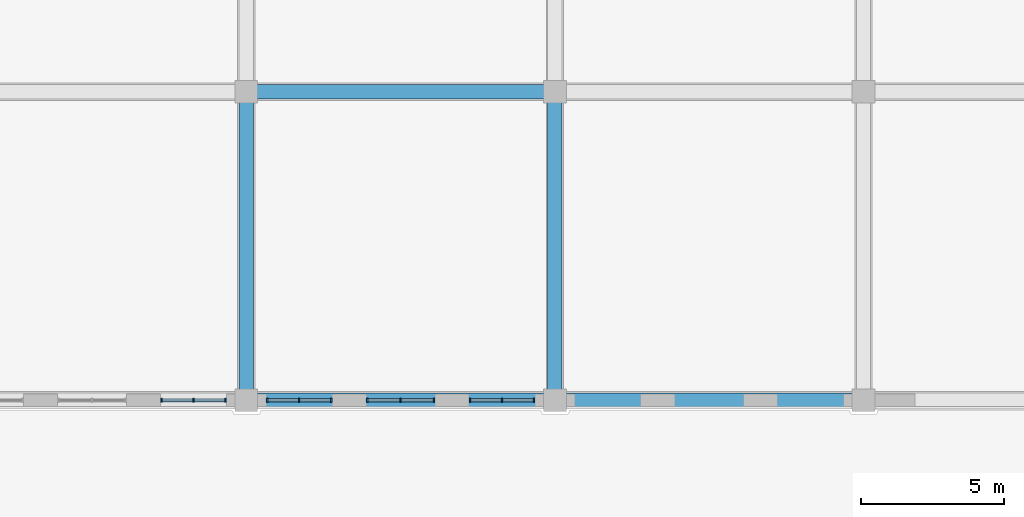
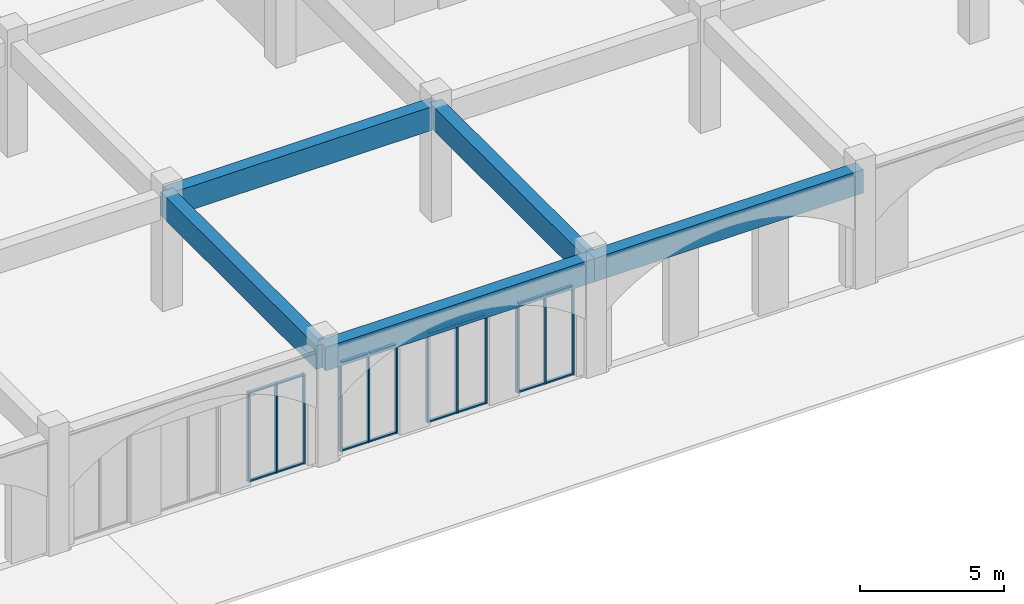
# One storey, part 13 of 101: 28 members, 5 beams, 4 elements without a shape of their own.
"""IFC4 building model written with IfcOpenShell, lengths in metres."""

from ifc_helpers import new_model, si_unit, direction, frame, origin, origin_2d, place, context, subcontext, project, spatial, rectangle, extrude, material, layer, layer_set, material_profile, profile_set, type_object, element, aggregate, save


model = new_model("IFC4")

# Units and contexts
model_context = context("Model", 3, precision=1e-05, world=origin(), true_north=direction((0.0, 1.0)))
body_context = subcontext(model_context, "Body", "Model", "MODEL_VIEW")
ifc_project = project(units=[si_unit("LENGTHUNIT", "METRE"), si_unit("AREAUNIT", "SQUARE_METRE"), si_unit("VOLUMEUNIT", "CUBIC_METRE"), si_unit("PLANEANGLEUNIT", "RADIAN"), si_unit("MASSUNIT", "GRAM", prefix="KILO")], contexts=[model_context])

# Site, building, storey
site_placement = place(None, origin())
site = spatial("IfcSite", under=ifc_project, at=site_placement, CompositionType="ELEMENT")
building_placement = place(site_placement, origin())
building = spatial("IfcBuilding", under=site, at=building_placement, Name="Magnolia Steps Interchange", CompositionType="ELEMENT")
storey_placement = place(building_placement, frame((0.0, 0.0, -5.39990234375)))
storey = spatial("IfcBuildingStorey", under=building, at=storey_placement, Name="B1", CompositionType="ELEMENT", Elevation=-5.39990234375)

# Curtain wall, members
ifc_material_1 = material(Name="Powder-coated aluminium and glass", Category="aluminium")
ifc_layer = layer(ifc_material_1, 0.1201171875)
ifc_layer_set = layer_set([ifc_layer], Name="Shopfront curtain wall")
curtain_wall_type = type_object("IfcCurtainWallType", Name="Shopfront curtain wall", PredefinedType="NOTDEFINED", material=ifc_layer_set)
curtain_wall_1_placement = place(storey_placement, origin())
curtain_wall_1 = element("IfcCurtainWall", 1, at=curtain_wall_1_placement, inside=storey, type_object=curtain_wall_type, Name="Street arcade shopfront 14", PredefinedType="NOTDEFINED")
ifc_material_2 = material(Name="White powder-coated aluminium", Category="aluminium")
ifc_material_profile_1 = material_profile(ifc_material_2, rectangle(XDim=0.06005859375, YDim=0.14990234375, at=origin_2d()), Name="Aluminium mullion 60 x 150")
ifc_profile_set_1 = profile_set([ifc_material_profile_1], Name="White powder-coated aluminium")
member_type_1 = type_object("IfcMemberType", Name="Aluminium mullion 60 x 150", PredefinedType="MULLION", material=ifc_profile_set_1)
member_1_placement = place(storey_placement, frame((71.830078125, 10.0, 0.0), z_axis=(0.0, 0.0, 1.0), x_axis=(1.0, 0.0, 0.0)))
member_1 = element("IfcMember", 2, at=member_1_placement, type_object=member_type_1, Name="CW3 mullion 1", PredefinedType="MULLION", context=body_context, shape_type="SweptSolid", body=[
    extrude(rectangle(XDim=0.06005859375, YDim=0.14990234375, at=origin_2d()), origin(), (0.0, 0.0, 1.0), 3.7998046875),
])
member_2_placement = place(storey_placement, frame((72.949951171875, 10.0, 0.0), z_axis=(0.0, 0.0, 1.0), x_axis=(1.0, 0.0, 0.0)))
member_2 = element("IfcMember", 3, at=member_2_placement, type_object=member_type_1, Name="CW3 mullion 2", PredefinedType="MULLION", context=body_context, shape_type="SweptSolid", body=[
    extrude(rectangle(XDim=0.06005859375, YDim=0.14990234375, at=origin_2d()), origin(), (0.0, 0.0, 1.0), 3.7998046875),
])
member_3_placement = place(storey_placement, frame((74.070068359375, 10.0, 0.0), z_axis=(0.0, 0.0, 1.0), x_axis=(1.0, 0.0, 0.0)))
member_3 = element("IfcMember", 4, at=member_3_placement, type_object=member_type_1, Name="CW3 mullion 3", PredefinedType="MULLION", context=body_context, shape_type="SweptSolid", body=[
    extrude(rectangle(XDim=0.06005859375, YDim=0.14990234375, at=origin_2d()), origin(), (0.0, 0.0, 1.0), 3.7998046875),
])

curtain_wall_2_placement = place(storey_placement, origin())
curtain_wall_2 = element("IfcCurtainWall", 5, at=curtain_wall_2_placement, inside=storey, type_object=curtain_wall_type, Name="Street arcade shopfront 16", PredefinedType="NOTDEFINED")
member_4_placement = place(storey_placement, frame((75.530029296875, 10.0, 0.0), z_axis=(0.0, 0.0, 1.0), x_axis=(1.0, 0.0, 0.0)))
member_4 = element("IfcMember", 6, at=member_4_placement, type_object=member_type_1, Name="CW3 mullion 1", PredefinedType="MULLION", context=body_context, shape_type="SweptSolid", body=[
    extrude(rectangle(XDim=0.06005859375, YDim=0.14990234375, at=origin_2d()), origin(), (0.0, 0.0, 1.0), 3.7998046875),
])
member_5_placement = place(storey_placement, frame((76.64990234375, 10.0, 0.0), z_axis=(0.0, 0.0, 1.0), x_axis=(1.0, 0.0, 0.0)))
member_5 = element("IfcMember", 7, at=member_5_placement, type_object=member_type_1, Name="CW3 mullion 2", PredefinedType="MULLION", context=body_context, shape_type="SweptSolid", body=[
    extrude(rectangle(XDim=0.06005859375, YDim=0.14990234375, at=origin_2d()), origin(), (0.0, 0.0, 1.0), 3.7998046875),
])
member_6_placement = place(storey_placement, frame((77.77001953125, 10.0, 0.0), z_axis=(0.0, 0.0, 1.0), x_axis=(1.0, 0.0, 0.0)))
member_6 = element("IfcMember", 8, at=member_6_placement, type_object=member_type_1, Name="CW3 mullion 3", PredefinedType="MULLION", context=body_context, shape_type="SweptSolid", body=[
    extrude(rectangle(XDim=0.06005859375, YDim=0.14990234375, at=origin_2d()), origin(), (0.0, 0.0, 1.0), 3.7998046875),
])

curtain_wall_3_placement = place(storey_placement, origin())
curtain_wall_3 = element("IfcCurtainWall", 9, at=curtain_wall_3_placement, inside=storey, type_object=curtain_wall_type, Name="Street arcade shopfront 18", PredefinedType="NOTDEFINED")
member_7_placement = place(storey_placement, frame((79.030029296875, 10.0, 0.0), z_axis=(0.0, 0.0, 1.0), x_axis=(1.0, 0.0, 0.0)))
member_7 = element("IfcMember", 10, at=member_7_placement, type_object=member_type_1, Name="CW3 mullion 1", PredefinedType="MULLION", context=body_context, shape_type="SweptSolid", body=[
    extrude(rectangle(XDim=0.06005859375, YDim=0.14990234375, at=origin_2d()), origin(), (0.0, 0.0, 1.0), 3.7998046875),
])
member_8_placement = place(storey_placement, frame((80.199951171875, 10.0, 0.0), z_axis=(0.0, 0.0, 1.0), x_axis=(1.0, 0.0, 0.0)))
member_8 = element("IfcMember", 11, at=member_8_placement, type_object=member_type_1, Name="CW3 mullion 2", PredefinedType="MULLION", context=body_context, shape_type="SweptSolid", body=[
    extrude(rectangle(XDim=0.06005859375, YDim=0.14990234375, at=origin_2d()), origin(), (0.0, 0.0, 1.0), 3.7998046875),
])
member_9_placement = place(storey_placement, frame((81.3701171875, 10.0, 0.0), z_axis=(0.0, 0.0, 1.0), x_axis=(1.0, 0.0, 0.0)))
member_9 = element("IfcMember", 12, at=member_9_placement, type_object=member_type_1, Name="CW3 mullion 3", PredefinedType="MULLION", context=body_context, shape_type="SweptSolid", body=[
    extrude(rectangle(XDim=0.06005859375, YDim=0.14990234375, at=origin_2d()), origin(), (0.0, 0.0, 1.0), 3.7998046875),
])

curtain_wall_4_placement = place(storey_placement, origin())
curtain_wall_4 = element("IfcCurtainWall", 13, at=curtain_wall_4_placement, inside=storey, type_object=curtain_wall_type, Name="Street arcade shopfront 20", PredefinedType="NOTDEFINED")
member_10_placement = place(storey_placement, frame((82.6298828125, 10.0, 0.0), z_axis=(0.0, 0.0, 1.0), x_axis=(1.0, 0.0, 0.0)))
member_10 = element("IfcMember", 14, at=member_10_placement, type_object=member_type_1, Name="CW3 mullion 1", PredefinedType="MULLION", context=body_context, shape_type="SweptSolid", body=[
    extrude(rectangle(XDim=0.06005859375, YDim=0.14990234375, at=origin_2d()), origin(), (0.0, 0.0, 1.0), 3.7998046875),
])
member_11_placement = place(storey_placement, frame((83.75, 10.0, 0.0), z_axis=(0.0, 0.0, 1.0), x_axis=(1.0, 0.0, 0.0)))
member_11 = element("IfcMember", 15, at=member_11_placement, type_object=member_type_1, Name="CW3 mullion 2", PredefinedType="MULLION", context=body_context, shape_type="SweptSolid", body=[
    extrude(rectangle(XDim=0.06005859375, YDim=0.14990234375, at=origin_2d()), origin(), (0.0, 0.0, 1.0), 3.7998046875),
])
member_12_placement = place(storey_placement, frame((84.8701171875, 10.0, 0.0), z_axis=(0.0, 0.0, 1.0), x_axis=(1.0, 0.0, 0.0)))
member_12 = element("IfcMember", 16, at=member_12_placement, type_object=member_type_1, Name="CW3 mullion 3", PredefinedType="MULLION", context=body_context, shape_type="SweptSolid", body=[
    extrude(rectangle(XDim=0.06005859375, YDim=0.14990234375, at=origin_2d()), origin(), (0.0, 0.0, 1.0), 3.7998046875),
])

# Member
ifc_material_3 = material(Name="White powder-coated aluminium", Category="aluminium")
ifc_material_profile_2 = material_profile(ifc_material_3, rectangle(XDim=0.06005859375, YDim=0.1201171875, at=origin_2d()), Name="Aluminium transom 60 x 120")
ifc_profile_set_2 = profile_set([ifc_material_profile_2], Name="White powder-coated aluminium")
member_type_2 = type_object("IfcMemberType", Name="Aluminium transom 60 x 120", PredefinedType="USERDEFINED", material=ifc_profile_set_2)
member_13_placement = place(storey_placement, frame((71.860107421875, 10.0, 0.02978515625), z_axis=(1.0, 0.0, 0.0), x_axis=(0.0, 0.0, 1.0)))
member_13 = element("IfcMember", 17, at=member_13_placement, type_object=member_type_2, Name="CW3 transom 1.1", ObjectType="TRANSOM", PredefinedType="USERDEFINED", context=body_context, shape_type="SweptSolid", body=[
    extrude(rectangle(XDim=0.06005859375, YDim=0.1201171875, at=origin_2d()), origin(), (0.0, 0.0, 1.0), 1.059814453125),
])

member_14_placement = place(storey_placement, frame((71.860107421875, 10.0, 3.77001953125), z_axis=(1.0, 0.0, 0.0), x_axis=(0.0, 0.0, 1.0)))
member_14 = element("IfcMember", 18, at=member_14_placement, type_object=member_type_2, Name="CW3 transom 1.2", ObjectType="TRANSOM", PredefinedType="USERDEFINED", context=body_context, shape_type="SweptSolid", body=[
    extrude(rectangle(XDim=0.06005859375, YDim=0.1201171875, at=origin_2d()), origin(), (0.0, 0.0, 1.0), 1.059814453125),
])

member_15_placement = place(storey_placement, frame((72.97998046875, 10.0, 0.02978515625), z_axis=(1.0, 0.0, 0.0), x_axis=(0.0, 0.0, 1.0)))
member_15 = element("IfcMember", 19, at=member_15_placement, type_object=member_type_2, Name="CW3 transom 2.1", ObjectType="TRANSOM", PredefinedType="USERDEFINED", context=body_context, shape_type="SweptSolid", body=[
    extrude(rectangle(XDim=0.06005859375, YDim=0.1201171875, at=origin_2d()), origin(), (0.0, 0.0, 1.0), 1.06005859375),
])

member_16_placement = place(storey_placement, frame((72.97998046875, 10.0, 3.77001953125), z_axis=(1.0, 0.0, 0.0), x_axis=(0.0, 0.0, 1.0)))
member_16 = element("IfcMember", 20, at=member_16_placement, type_object=member_type_2, Name="CW3 transom 2.2", ObjectType="TRANSOM", PredefinedType="USERDEFINED", context=body_context, shape_type="SweptSolid", body=[
    extrude(rectangle(XDim=0.06005859375, YDim=0.1201171875, at=origin_2d()), origin(), (0.0, 0.0, 1.0), 1.06005859375),
])

aggregate(curtain_wall_1, [member_1, member_2, member_3, member_13, member_14, member_15, member_16])

member_17_placement = place(storey_placement, frame((75.56005859375, 10.0, 0.02978515625), z_axis=(1.0, 0.0, 0.0), x_axis=(0.0, 0.0, 1.0)))
member_17 = element("IfcMember", 21, at=member_17_placement, type_object=member_type_2, Name="CW3 transom 1.1", ObjectType="TRANSOM", PredefinedType="USERDEFINED", context=body_context, shape_type="SweptSolid", body=[
    extrude(rectangle(XDim=0.06005859375, YDim=0.1201171875, at=origin_2d()), origin(), (0.0, 0.0, 1.0), 1.06005859375),
])

member_18_placement = place(storey_placement, frame((75.56005859375, 10.0, 3.77001953125), z_axis=(1.0, 0.0, 0.0), x_axis=(0.0, 0.0, 1.0)))
member_18 = element("IfcMember", 22, at=member_18_placement, type_object=member_type_2, Name="CW3 transom 1.2", ObjectType="TRANSOM", PredefinedType="USERDEFINED", context=body_context, shape_type="SweptSolid", body=[
    extrude(rectangle(XDim=0.06005859375, YDim=0.1201171875, at=origin_2d()), origin(), (0.0, 0.0, 1.0), 1.06005859375),
])

member_19_placement = place(storey_placement, frame((76.679931640625, 10.0, 0.02978515625), z_axis=(1.0, 0.0, 0.0), x_axis=(0.0, 0.0, 1.0)))
member_19 = element("IfcMember", 23, at=member_19_placement, type_object=member_type_2, Name="CW3 transom 2.1", ObjectType="TRANSOM", PredefinedType="USERDEFINED", context=body_context, shape_type="SweptSolid", body=[
    extrude(rectangle(XDim=0.06005859375, YDim=0.1201171875, at=origin_2d()), origin(), (0.0, 0.0, 1.0), 1.06005859375),
])

member_20_placement = place(storey_placement, frame((76.679931640625, 10.0, 3.77001953125), z_axis=(1.0, 0.0, 0.0), x_axis=(0.0, 0.0, 1.0)))
member_20 = element("IfcMember", 24, at=member_20_placement, type_object=member_type_2, Name="CW3 transom 2.2", ObjectType="TRANSOM", PredefinedType="USERDEFINED", context=body_context, shape_type="SweptSolid", body=[
    extrude(rectangle(XDim=0.06005859375, YDim=0.1201171875, at=origin_2d()), origin(), (0.0, 0.0, 1.0), 1.06005859375),
])

aggregate(curtain_wall_2, [member_4, member_5, member_6, member_17, member_18, member_19, member_20])

member_21_placement = place(storey_placement, frame((79.06005859375, 10.0, 0.02978515625), z_axis=(1.0, 0.0, 0.0), x_axis=(0.0, 0.0, 1.0)))
member_21 = element("IfcMember", 25, at=member_21_placement, type_object=member_type_2, Name="CW3 transom 1.1", ObjectType="TRANSOM", PredefinedType="USERDEFINED", context=body_context, shape_type="SweptSolid", body=[
    extrude(rectangle(XDim=0.06005859375, YDim=0.1201171875, at=origin_2d()), origin(), (0.0, 0.0, 1.0), 1.10986328125),
])

member_22_placement = place(storey_placement, frame((79.06005859375, 10.0, 3.77001953125), z_axis=(1.0, 0.0, 0.0), x_axis=(0.0, 0.0, 1.0)))
member_22 = element("IfcMember", 26, at=member_22_placement, type_object=member_type_2, Name="CW3 transom 1.2", ObjectType="TRANSOM", PredefinedType="USERDEFINED", context=body_context, shape_type="SweptSolid", body=[
    extrude(rectangle(XDim=0.06005859375, YDim=0.1201171875, at=origin_2d()), origin(), (0.0, 0.0, 1.0), 1.10986328125),
])

member_23_placement = place(storey_placement, frame((80.22998046875, 10.0, 0.02978515625), z_axis=(1.0, 0.0, 0.0), x_axis=(0.0, 0.0, 1.0)))
member_23 = element("IfcMember", 27, at=member_23_placement, type_object=member_type_2, Name="CW3 transom 2.1", ObjectType="TRANSOM", PredefinedType="USERDEFINED", context=body_context, shape_type="SweptSolid", body=[
    extrude(rectangle(XDim=0.06005859375, YDim=0.1201171875, at=origin_2d()), origin(), (0.0, 0.0, 1.0), 1.110107421875),
])

member_24_placement = place(storey_placement, frame((80.22998046875, 10.0, 3.77001953125), z_axis=(1.0, 0.0, 0.0), x_axis=(0.0, 0.0, 1.0)))
member_24 = element("IfcMember", 28, at=member_24_placement, type_object=member_type_2, Name="CW3 transom 2.2", ObjectType="TRANSOM", PredefinedType="USERDEFINED", context=body_context, shape_type="SweptSolid", body=[
    extrude(rectangle(XDim=0.06005859375, YDim=0.1201171875, at=origin_2d()), origin(), (0.0, 0.0, 1.0), 1.110107421875),
])

aggregate(curtain_wall_3, [member_7, member_8, member_9, member_21, member_22, member_23, member_24])

member_25_placement = place(storey_placement, frame((82.659912109375, 10.0, 0.02978515625), z_axis=(1.0, 0.0, 0.0), x_axis=(0.0, 0.0, 1.0)))
member_25 = element("IfcMember", 29, at=member_25_placement, type_object=member_type_2, Name="CW3 transom 1.1", ObjectType="TRANSOM", PredefinedType="USERDEFINED", context=body_context, shape_type="SweptSolid", body=[
    extrude(rectangle(XDim=0.06005859375, YDim=0.1201171875, at=origin_2d()), origin(), (0.0, 0.0, 1.0), 1.06005859375),
])

member_26_placement = place(storey_placement, frame((82.659912109375, 10.0, 3.77001953125), z_axis=(1.0, 0.0, 0.0), x_axis=(0.0, 0.0, 1.0)))
member_26 = element("IfcMember", 30, at=member_26_placement, type_object=member_type_2, Name="CW3 transom 1.2", ObjectType="TRANSOM", PredefinedType="USERDEFINED", context=body_context, shape_type="SweptSolid", body=[
    extrude(rectangle(XDim=0.06005859375, YDim=0.1201171875, at=origin_2d()), origin(), (0.0, 0.0, 1.0), 1.06005859375),
])

member_27_placement = place(storey_placement, frame((83.780029296875, 10.0, 0.02978515625), z_axis=(1.0, 0.0, 0.0), x_axis=(0.0, 0.0, 1.0)))
member_27 = element("IfcMember", 31, at=member_27_placement, type_object=member_type_2, Name="CW3 transom 2.1", ObjectType="TRANSOM", PredefinedType="USERDEFINED", context=body_context, shape_type="SweptSolid", body=[
    extrude(rectangle(XDim=0.06005859375, YDim=0.1201171875, at=origin_2d()), origin(), (0.0, 0.0, 1.0), 1.06005859375),
])

member_28_placement = place(storey_placement, frame((83.780029296875, 10.0, 3.77001953125), z_axis=(1.0, 0.0, 0.0), x_axis=(0.0, 0.0, 1.0)))
member_28 = element("IfcMember", 32, at=member_28_placement, type_object=member_type_2, Name="CW3 transom 2.2", ObjectType="TRANSOM", PredefinedType="USERDEFINED", context=body_context, shape_type="SweptSolid", body=[
    extrude(rectangle(XDim=0.06005859375, YDim=0.1201171875, at=origin_2d()), origin(), (0.0, 0.0, 1.0), 1.06005859375),
])

aggregate(curtain_wall_4, [member_10, member_11, member_12, member_25, member_26, member_27, member_28])

# Beams
ifc_material_4 = material(Name="Concrete C40", Category="concrete")
ifc_material_profile_3 = material_profile(ifc_material_4, rectangle(XDim=0.5, YDim=1.0, at=origin_2d()), Name="RC500x1000")
ifc_profile_set_3 = profile_set([ifc_material_profile_3], Name="Concrete C40")
beam_type = type_object("IfcBeamType", Name="RC beam 500x1000", PredefinedType="BEAM", material=ifc_profile_set_3)
beam_1_placement = place(storey_placement, frame((74.800048828125, 10.0, 4.2998046875), z_axis=(1.0, 0.0, 0.0), x_axis=(0.0, 1.0, 0.0)))
element("IfcBeam", 33, at=beam_1_placement, inside=storey, type_object=beam_type, Name="Beam L00 A 7-8", PredefinedType="BEAM", context=body_context, shape_type="SweptSolid", body=[
    extrude(rectangle(XDim=0.5, YDim=1.0, at=origin_2d()), origin(), (0.0, 0.0, 1.0), 10.800048828125),
])
beam_2_placement = place(storey_placement, frame((85.60009765625, 10.0, 4.2998046875), z_axis=(1.0, 0.0, 0.0), x_axis=(0.0, 1.0, 0.0)))
element("IfcBeam", 34, at=beam_2_placement, inside=storey, type_object=beam_type, Name="Beam L00 A 8-9", PredefinedType="BEAM", context=body_context, shape_type="SweptSolid", body=[
    extrude(rectangle(XDim=0.5, YDim=1.0, at=origin_2d()), origin(), (0.0, 0.0, 1.0), 10.7998046875),
])
for number, where, z_axis, x_axis, name in (
    (35, (74.800048828125, 20.800048828125, 4.2998046875), (1.0, 0.0, 0.0), (0.0, 1.0, 0.0), "Beam L00 B 7-8"),
    (36, (74.800048828125, 10.0, 4.2998046875), (0.0, 1.0, 0.0), (-1.0, 0.0, 0.0), "Beam L00 7 A-B"),
    (37, (85.60009765625, 10.0, 4.2998046875), (0.0, 1.0, 0.0), (-1.0, 0.0, 0.0), "Beam L00 8 A-B"),
):
    element("IfcBeam", number, at=place(storey_placement, frame(where, z_axis=z_axis, x_axis=x_axis)), inside=storey, type_object=beam_type, Name=name, PredefinedType="BEAM", context=body_context, shape_type="SweptSolid", body=[
        extrude(rectangle(XDim=0.5, YDim=1.0, at=origin_2d()), origin(), (0.0, 0.0, 1.0), 10.800048828125),
    ])

save(model, "model.ifc")
